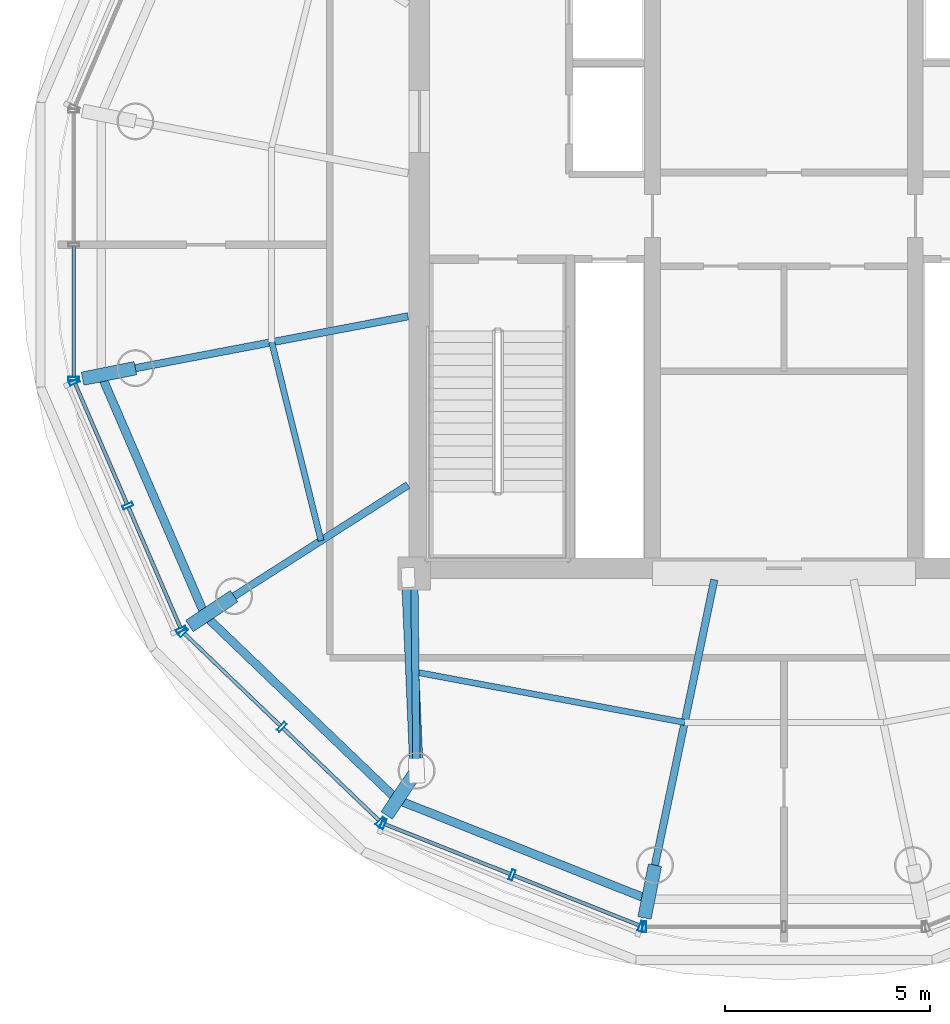
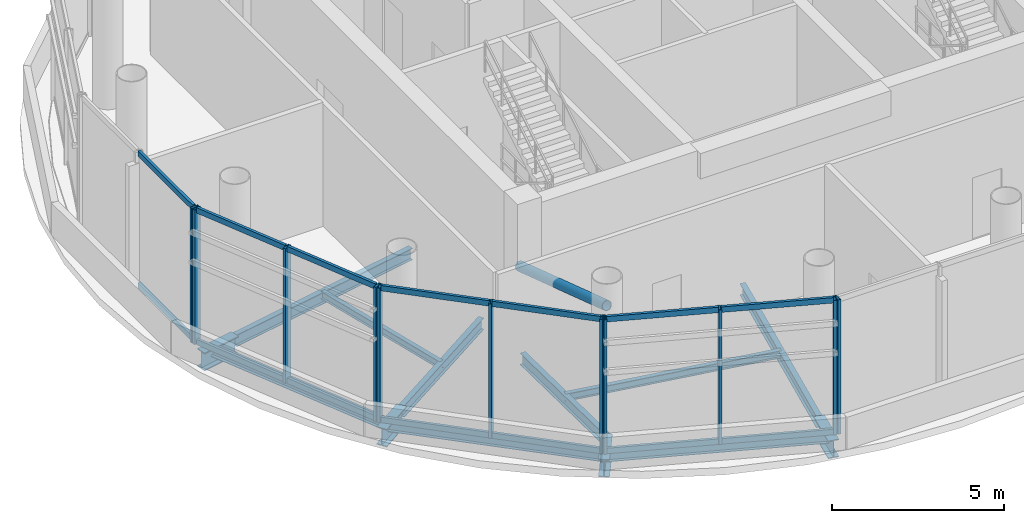
# One storey, part 2 of 15: 26 members, 13 beams, 5 elements without a shape of their own.
"""IFC4 building model written with IfcOpenShell, lengths in metres."""

from ifc_helpers import new_model, si_unit, direction, frame, origin, origin_2d, place, context, subcontext, project, spatial, hollow_rectangle, hollow_circle, i_section, extrude, source, transform, mapped, material, material_profile, profile_set, type_object, element, aggregate, save


model = new_model("IFC4")

# Units and contexts
model_context = context("Model", 3, precision=1e-05, world=origin(), true_north=direction((-0.2419218956, 0.970295726276)))
body_context = subcontext(model_context, "Body", "Model", "MODEL_VIEW")
ifc_project = project(units=[si_unit("LENGTHUNIT", "METRE"), si_unit("AREAUNIT", "SQUARE_METRE"), si_unit("VOLUMEUNIT", "CUBIC_METRE"), si_unit("PLANEANGLEUNIT", "RADIAN"), si_unit("MASSUNIT", "GRAM", prefix="KILO")], contexts=[model_context])

# Site, building, storey
site_placement = place(None, origin())
site = spatial("IfcSite", under=ifc_project, at=site_placement, CompositionType="ELEMENT")
building_placement = place(site_placement, origin())
building = spatial("IfcBuilding", under=site, at=building_placement, Name="Cobrevalo Terracotta Tower", CompositionType="ELEMENT")
storey_placement = place(building_placement, frame((0.0, 0.0, 306.10009765625)))
storey = spatial("IfcBuildingStorey", under=building, at=storey_placement, Name="L80", CompositionType="ELEMENT", Elevation=306.10009765625)

# Beams
ifc_material_1 = material(Name="Steel S355", Category="steel")
ifc_material_profile_1 = material_profile(ifc_material_1, i_section(OverallWidth=0.179931640625, OverallDepth=0.4130859375, WebThickness=0.009765625, FlangeThickness=0.01611328125, at=origin_2d()), Name="W 410x75")
ifc_profile_set_1 = profile_set([ifc_material_profile_1], Name="Steel S355")
beam_type_1 = type_object("IfcBeamType", Name="Structural Beam W 410x75 (Steel S355)", PredefinedType="BEAM", material=ifc_profile_set_1)
beam_1_placement = place(storey_placement, frame((22.20947265625, 23.795654296875, -0.626708984375), z_axis=(0.982378090159, 0.186904488915, 0.0), x_axis=(-0.186904488915, 0.982378090159, 0.0)))
element("IfcBeam", 1, at=beam_1_placement, inside=storey, type_object=beam_type_1, Name="L80 radial floor girder 09", PredefinedType="BEAM", context=body_context, shape_type="SweptSolid", body=[
    extrude(i_section(OverallWidth=0.179931640625, OverallDepth=0.4130859375, WebThickness=0.009765625, FlangeThickness=0.01611328125, at=origin_2d()), origin(), (0.0, 0.0, 1.0), 6.754638671875),
])
beam_2_placement = place(storey_placement, frame((24.61328125, 18.244140625, -0.626708984375), z_axis=(0.84260496226, 0.538532150921, 0.0), x_axis=(-0.538532150921, 0.84260496226, 0.0)))
element("IfcBeam", 2, at=beam_2_placement, inside=storey, type_object=beam_type_1, Name="L80 radial floor girder 10", PredefinedType="BEAM", context=body_context, shape_type="SweptSolid", body=[
    extrude(i_section(OverallWidth=0.179931640625, OverallDepth=0.4130859375, WebThickness=0.009765625, FlangeThickness=0.01611328125, at=origin_2d()), origin(), (0.0, 0.0, 1.0), 5.022216796875),
])
beam_3_placement = place(storey_placement, frame((29.055419921875, 13.995361328125, -0.626708984375), z_axis=(-0.01153378561, 0.999933483683, 0.0), x_axis=(-0.999933483683, -0.01153378561, 0.0)))
element("IfcBeam", 3, at=beam_3_placement, inside=storey, type_object=beam_type_1, Name="L80 radial floor girder 11", PredefinedType="BEAM", context=body_context, shape_type="SweptSolid", body=[
    extrude(i_section(OverallWidth=0.179931640625, OverallDepth=0.4130859375, WebThickness=0.009765625, FlangeThickness=0.01611328125, at=origin_2d()), origin(), (0.0, 0.0, 1.0), 4.804931640625),
])
beam_4_placement = place(storey_placement, frame((34.859130859375, 11.69580078125, -0.626708984375), z_axis=(0.203591619703, 0.9790558985, 0.0), x_axis=(-0.9790558985, 0.203591619703, 0.0)))
element("IfcBeam", 4, at=beam_4_placement, inside=storey, type_object=beam_type_1, Name="L80 radial floor girder 12", PredefinedType="BEAM", context=body_context, shape_type="SweptSolid", body=[
    extrude(i_section(OverallWidth=0.179931640625, OverallDepth=0.4130859375, WebThickness=0.009765625, FlangeThickness=0.01611328125, at=origin_2d()), origin(), (0.0, 0.0, 1.0), 7.097900390625),
])
ifc_material_profile_2 = material_profile(ifc_material_1, i_section(OverallWidth=0.3291015625, OverallDepth=0.635009765625, WebThickness=0.017822265625, FlangeThickness=0.031005859375, at=origin_2d()), Name="W 610x241")
ifc_profile_set_2 = profile_set([ifc_material_profile_2], Name="Steel S355")
beam_type_2 = type_object("IfcBeamType", Name="Structural Beam W 610x241 (Steel S355)", PredefinedType="BEAM", material=ifc_profile_set_2)
beam_5_placement = place(storey_placement, frame((20.924560546875, 23.5400390625, -0.737548828125), z_axis=(0.980780851142, 0.195112588095, 0.0), x_axis=(-0.195112588095, 0.980780851142, 0.0)))
element("IfcBeam", 5, at=beam_5_placement, inside=storey, type_object=beam_type_2, Name="L80 setback step-link girder 09", PredefinedType="BEAM", context=body_context, shape_type="SweptSolid", body=[
    extrude(i_section(OverallWidth=0.3291015625, OverallDepth=0.635009765625, WebThickness=0.017822265625, FlangeThickness=0.031005859375, at=origin_2d()), origin(), (0.0, 0.0, 1.0), 1.31005859375),
])
for number, where, z_axis, x_axis, name in (
    (6, (23.524169921875, 17.516357421875, -0.737548828125), (0.831447648631, 0.555603102571, 0.0), (-0.555603102571, 0.831447648631, 0.0), "L80 setback step-link girder 10"),
    (7, (28.32763671875, 12.90625, -0.737548828125), (0.555603102571, 0.831447648631, 0.0), (-0.831447648631, 0.555603102571, 0.0), "L80 setback step-link girder 11"),
    (8, (34.603515625, 10.4111328125, -0.737548828125), (0.195148255679, 0.980773754902, 0.0), (-0.980773754902, 0.195148255679, 0.0), "L80 setback step-link girder 12"),
):
    element("IfcBeam", number, at=place(storey_placement, frame(where, z_axis=z_axis, x_axis=x_axis)), inside=storey, type_object=beam_type_2, Name=name, PredefinedType="BEAM", context=body_context, shape_type="SweptSolid", body=[
        extrude(i_section(OverallWidth=0.3291015625, OverallDepth=0.635009765625, WebThickness=0.017822265625, FlangeThickness=0.031005859375, at=origin_2d()), origin(), (0.0, 0.0, 1.0), 1.309814453125),
    ])
ifc_material_profile_3 = material_profile(ifc_material_1, i_section(OverallWidth=0.14794921875, OverallDepth=0.26611328125, WebThickness=0.007568359375, FlangeThickness=0.012939453125, at=origin_2d()), Name="W 250x44.8")
ifc_profile_set_3 = profile_set([ifc_material_profile_3], Name="Steel S355")
beam_type_3 = type_object("IfcBeamType", Name="Structural Joist W 250x44.8 (Steel S355)", PredefinedType="JOIST", material=ifc_profile_set_3)
beam_6_placement = place(storey_placement, frame((25.527099609375, 24.4267578125, -0.552978515625), z_axis=(0.241508383165, -0.970398732924, 0.0), x_axis=(0.970398732924, 0.241508383165, 0.0)))
element("IfcBeam", 9, at=beam_6_placement, inside=storey, type_object=beam_type_3, Name="L80 circumferential secondary floor joist 09", PredefinedType="JOIST", context=body_context, shape_type="SweptSolid", body=[
    extrude(i_section(OverallWidth=0.14794921875, OverallDepth=0.26611328125, WebThickness=0.007568359375, FlangeThickness=0.012939453125, at=origin_2d()), origin(), (0.0, 0.0, 1.0), 4.977783203125),
])
beam_7_placement = place(storey_placement, frame((29.027587890625, 16.397705078125, -0.552978515625), z_axis=(0.982914854387, -0.184060829689, 0.0), x_axis=(0.184060829689, 0.982914854387, 0.0)))
element("IfcBeam", 10, at=beam_7_placement, inside=storey, type_object=beam_type_3, Name="L80 circumferential secondary floor joist 11", PredefinedType="JOIST", context=body_context, shape_type="SweptSolid", body=[
    extrude(i_section(OverallWidth=0.14794921875, OverallDepth=0.26611328125, WebThickness=0.007568359375, FlangeThickness=0.012939453125, at=origin_2d()), origin(), (0.0, 0.0, 1.0), 6.66796875),
])
ifc_material_profile_4 = material_profile(ifc_material_1, i_section(OverallWidth=0.205078125, OverallDepth=0.35400390625, WebThickness=0.009521484375, FlangeThickness=0.016845703125, at=origin_2d()), Name="W 360x79")
ifc_profile_set_4 = profile_set([ifc_material_profile_4], Name="Steel S355")
beam_type_4 = type_object("IfcBeamType", Name="Structural Spandrel W 360x79 (Steel S355)", PredefinedType="SPANDREL", material=ifc_profile_set_4)
beam_8_placement = place(storey_placement, frame((21.375732421875, 23.6298828125, -0.59716796875), z_axis=(0.396595776552, -0.917993349661, 0.0), x_axis=(0.917993349661, 0.396595776552, 0.0)))
element("IfcBeam", 11, at=beam_8_placement, inside=storey, type_object=beam_type_4, Name="L80 perimeter ring spandrel 09", PredefinedType="SPANDREL", context=body_context, shape_type="SweptSolid", body=[
    extrude(i_section(OverallWidth=0.205078125, OverallDepth=0.35400390625, WebThickness=0.009521484375, FlangeThickness=0.016845703125, at=origin_2d()), origin(), (0.0, 0.0, 1.0), 6.381103515625),
])
beam_9_placement = place(storey_placement, frame((23.906494140625, 17.77197265625, -0.59716796875), z_axis=(0.721854060625, -0.692045312938, 0.0), x_axis=(0.692045312938, 0.721854060625, 0.0)))
element("IfcBeam", 12, at=beam_9_placement, inside=storey, type_object=beam_type_4, Name="L80 perimeter ring spandrel 10", PredefinedType="SPANDREL", context=body_context, shape_type="SweptSolid", body=[
    extrude(i_section(OverallWidth=0.205078125, OverallDepth=0.35400390625, WebThickness=0.009521484375, FlangeThickness=0.016845703125, at=origin_2d()), origin(), (0.0, 0.0, 1.0), 6.478515625),
])
beam_10_placement = place(storey_placement, frame((28.5830078125, 13.28857421875, -0.59716796875), z_axis=(0.929406010795, -0.369058893806, 0.0), x_axis=(0.369058893806, 0.929406010795, 0.0)))
element("IfcBeam", 13, at=beam_10_placement, inside=storey, type_object=beam_type_4, Name="L80 perimeter ring spandrel 11", PredefinedType="SPANDREL", context=body_context, shape_type="SweptSolid", body=[
    extrude(i_section(OverallWidth=0.205078125, OverallDepth=0.35400390625, WebThickness=0.009521484375, FlangeThickness=0.016845703125, at=origin_2d()), origin(), (0.0, 0.0, 1.0), 6.57421875),
])

# Member
ifc_material_profile_5 = material_profile(ifc_material_1, hollow_circle(Radius=0.162109375, WallThickness=0.013916015625, at=origin_2d()), Name="CHS 324x14")
ifc_profile_set_5 = profile_set([ifc_material_profile_5], Name="Steel S355")
member_type_1 = type_object("IfcMemberType", Name="Steel Brace CHS 324x14 (Steel S355)", PredefinedType="BRACE", material=ifc_profile_set_5)
shared_shape_1 = source(origin(), body_context, "Body", "SweptSolid", [
    extrude(hollow_circle(Radius=0.162109375, WallThickness=0.013916015625, at=origin_2d()), origin(), (0.0, 0.0, 1.0), 4.906982421875),
])
member_1_placement = place(storey_placement, frame((28.85009765625, 18.699951171875, 2.75), z_axis=(0.041842075868, -0.958735793071, 0.281202631159), x_axis=(0.999049003969, 0.043601464055, 0.0)))
element("IfcMember", 14, at=member_1_placement, inside=storey, type_object=member_type_1, Name="L80 CROWN FRAME radial brace 03", PredefinedType="BRACE", context=body_context, shape_type="MappedRepresentation", body=[
    mapped(shared_shape_1, transform((0.0, 0.0, 0.0), scale=1.0)),
])

# Curtain wall, member
ifc_material_2 = material(Name="Anodized aluminium", Category="aluminium")
curtain_wall_type = type_object("IfcCurtainWallType", Name="Faceted glass-point crown structural glazing system CW-CR", PredefinedType="NOTDEFINED", material=ifc_material_2)
curtain_wall_1_placement = place(storey_placement, origin())
curtain_wall_1 = element("IfcCurtainWall", 15, at=curtain_wall_1_placement, inside=storey, type_object=curtain_wall_type, Name="L80 curtain wall CW-CRN-L80-S08", PredefinedType="NOTDEFINED")
ifc_material_profile_6 = material_profile(ifc_material_2, hollow_rectangle(XDim=0.090087890625, YDim=0.260009765625, WallThickness=0.006103515625, at=origin_2d()), Name="CWM 90x260")
ifc_profile_set_6 = profile_set([ifc_material_profile_6], Name="Anodized aluminium")
member_type_2 = type_object("IfcMemberType", Name="Crown structural glass mullion 90x260", PredefinedType="MULLION", material=ifc_profile_set_6)
shared_shape_2 = source(origin(), body_context, "Body", "SweptSolid", [
    extrude(hollow_rectangle(XDim=0.090087890625, YDim=0.260009765625, WallThickness=0.006103515625, at=origin_2d()), origin(), (0.0, 0.0, 1.0), 4.77978515625),
])
member_2_placement = place(storey_placement, frame((20.708740234375, 23.537109375, 0.0), z_axis=(0.0, 0.0, 1.0), x_axis=(0.0, -1.0, 0.0)))
member_2 = element("IfcMember", 16, at=member_2_placement, type_object=member_type_2, Name="CW-CRN-L80-S08 vertical mullion 03", PredefinedType="MULLION", context=body_context, shape_type="MappedRepresentation", body=[
    mapped(shared_shape_2, transform((0.0, 0.0, 0.0), scale=1.0)),
])

# Curtain wall, members
curtain_wall_2_placement = place(storey_placement, origin())
curtain_wall_2 = element("IfcCurtainWall", 17, at=curtain_wall_2_placement, inside=storey, type_object=curtain_wall_type, Name="L80 curtain wall CW-CRN-L80-S09", PredefinedType="NOTDEFINED")
member_3_placement = place(storey_placement, frame((20.724609375, 23.46044921875, 0.0), z_axis=(0.0, 0.0, 1.0), x_axis=(0.396058398073, -0.918225323826, 0.0)))
member_3 = element("IfcMember", 18, at=member_3_placement, type_object=member_type_2, Name="CW-CRN-L80-S09 vertical mullion 01", PredefinedType="MULLION", context=body_context, shape_type="MappedRepresentation", body=[
    mapped(shared_shape_2, transform((0.0, 0.0, 0.0), scale=1.0)),
])
member_4_placement = place(storey_placement, frame((22.02490234375, 20.445556640625, 0.0), z_axis=(0.0, 0.0, 1.0), x_axis=(0.396058398073, -0.918225323826, 0.0)))
member_4 = element("IfcMember", 19, at=member_4_placement, type_object=member_type_2, Name="CW-CRN-L80-S09 vertical mullion 02", PredefinedType="MULLION", context=body_context, shape_type="MappedRepresentation", body=[
    mapped(shared_shape_2, transform((0.0, 0.0, 0.0), scale=1.0)),
])
member_5_placement = place(storey_placement, frame((23.325439453125, 17.430908203125, 0.0), z_axis=(0.0, 0.0, 1.0), x_axis=(0.396058398073, -0.918225323826, 0.0)))
member_5 = element("IfcMember", 20, at=member_5_placement, type_object=member_type_2, Name="CW-CRN-L80-S09 vertical mullion 03", PredefinedType="MULLION", context=body_context, shape_type="MappedRepresentation", body=[
    mapped(shared_shape_2, transform((0.0, 0.0, 0.0), scale=1.0)),
])

curtain_wall_3_placement = place(storey_placement, origin())
curtain_wall_3 = element("IfcCurtainWall", 21, at=curtain_wall_3_placement, inside=storey, type_object=curtain_wall_type, Name="L80 curtain wall CW-CRN-L80-S10", PredefinedType="NOTDEFINED")
member_6_placement = place(storey_placement, frame((23.3701171875, 17.366455078125, 0.0), z_axis=(0.0, 0.0, 1.0), x_axis=(0.721276845158, -0.692646888854, 0.0)))
member_6 = element("IfcMember", 22, at=member_6_placement, type_object=member_type_2, Name="CW-CRN-L80-S10 vertical mullion 01", PredefinedType="MULLION", context=body_context, shape_type="MappedRepresentation", body=[
    mapped(shared_shape_2, transform((0.0, 0.0, 0.0), scale=1.0)),
])
member_7_placement = place(storey_placement, frame((25.773193359375, 15.05859375, 0.0), z_axis=(0.0, 0.0, 1.0), x_axis=(0.721276845158, -0.692646888854, 0.0)))
member_7 = element("IfcMember", 23, at=member_7_placement, type_object=member_type_2, Name="CW-CRN-L80-S10 vertical mullion 02", PredefinedType="MULLION", context=body_context, shape_type="MappedRepresentation", body=[
    mapped(shared_shape_2, transform((0.0, 0.0, 0.0), scale=1.0)),
])
member_8_placement = place(storey_placement, frame((28.176513671875, 12.7509765625, 0.0), z_axis=(0.0, 0.0, 1.0), x_axis=(0.721276845158, -0.692646888854, 0.0)))
member_8 = element("IfcMember", 24, at=member_8_placement, type_object=member_type_2, Name="CW-CRN-L80-S10 vertical mullion 03", PredefinedType="MULLION", context=body_context, shape_type="MappedRepresentation", body=[
    mapped(shared_shape_2, transform((0.0, 0.0, 0.0), scale=1.0)),
])

curtain_wall_4_placement = place(storey_placement, origin())
curtain_wall_4 = element("IfcCurtainWall", 25, at=curtain_wall_4_placement, inside=storey, type_object=curtain_wall_type, Name="L80 curtain wall CW-CRN-L80-S11", PredefinedType="NOTDEFINED")
member_9_placement = place(storey_placement, frame((28.242431640625, 12.70849609375, 0.0), z_axis=(0.0, 0.0, 1.0), x_axis=(0.929190639756, -0.36960080491, 0.0)))
member_9 = element("IfcMember", 26, at=member_9_placement, type_object=member_type_2, Name="CW-CRN-L80-S11 vertical mullion 01", PredefinedType="MULLION", context=body_context, shape_type="MappedRepresentation", body=[
    mapped(shared_shape_2, transform((0.0, 0.0, 0.0), scale=1.0)),
])
member_10_placement = place(storey_placement, frame((31.3828125, 11.459228515625, 0.0), z_axis=(0.0, 0.0, 1.0), x_axis=(0.929190639756, -0.36960080491, 0.0)))
member_10 = element("IfcMember", 27, at=member_10_placement, type_object=member_type_2, Name="CW-CRN-L80-S11 vertical mullion 02", PredefinedType="MULLION", context=body_context, shape_type="MappedRepresentation", body=[
    mapped(shared_shape_2, transform((0.0, 0.0, 0.0), scale=1.0)),
])
member_11_placement = place(storey_placement, frame((34.5234375, 10.210205078125, 0.0), z_axis=(0.0, 0.0, 1.0), x_axis=(0.929190639756, -0.36960080491, 0.0)))
member_11 = element("IfcMember", 28, at=member_11_placement, type_object=member_type_2, Name="CW-CRN-L80-S11 vertical mullion 03", PredefinedType="MULLION", context=body_context, shape_type="MappedRepresentation", body=[
    mapped(shared_shape_2, transform((0.0, 0.0, 0.0), scale=1.0)),
])

# Curtain wall, member
curtain_wall_5_placement = place(storey_placement, origin())
curtain_wall_5 = element("IfcCurtainWall", 29, at=curtain_wall_5_placement, inside=storey, type_object=curtain_wall_type, Name="L80 curtain wall CW-CRN-L80-S12", PredefinedType="NOTDEFINED")
member_12_placement = place(storey_placement, frame((34.6005859375, 10.1953125, 0.0), z_axis=(0.0, 0.0, 1.0), x_axis=(1.0, 0.0, 0.0)))
member_12 = element("IfcMember", 30, at=member_12_placement, type_object=member_type_2, Name="CW-CRN-L80-S12 vertical mullion 01", PredefinedType="MULLION", context=body_context, shape_type="MappedRepresentation", body=[
    mapped(shared_shape_2, transform((0.0, 0.0, 0.0), scale=1.0)),
])
aggregate(curtain_wall_5, [member_12])

# Member
ifc_material_profile_7 = material_profile(ifc_material_2, hollow_rectangle(XDim=0.090087890625, YDim=0.195068359375, WallThickness=0.005615234375, at=origin_2d()), Name="CWT 90x195")
ifc_profile_set_7 = profile_set([ifc_material_profile_7], Name="Anodized aluminium")
member_type_3 = type_object("IfcMemberType", Name="Crown structural aluminium transom 90x195", PredefinedType="USERDEFINED", material=ifc_profile_set_7)
shared_shape_3 = source(origin(), body_context, "Body", "SweptSolid", [
    extrude(hollow_rectangle(XDim=0.090087890625, YDim=0.195068359375, WallThickness=0.005615234375, at=origin_2d()), origin(), (0.0, 0.0, 1.0), 3.203125),
])
member_13_placement = place(storey_placement, frame((20.740478515625, 23.423583984375, 0.0498046875), z_axis=(0.396043228921, -0.918231866592, 0.0), x_axis=(0.918231866592, 0.396043228921, 0.0)))
member_13 = element("IfcMember", 31, at=member_13_placement, type_object=member_type_3, Name="CW-CRN-L80-S09 transom B01-T1", ObjectType="TRANSOM", PredefinedType="USERDEFINED", context=body_context, shape_type="MappedRepresentation", body=[
    mapped(shared_shape_3, transform((0.0, 0.0, 0.0), scale=1.0)),
])

member_14_placement = place(storey_placement, frame((20.740478515625, 23.423583984375, 4.72998046875), z_axis=(0.396043228921, -0.918231866592, 0.0), x_axis=(0.918231866592, 0.396043228921, 0.0)))
member_14 = element("IfcMember", 32, at=member_14_placement, type_object=member_type_3, Name="CW-CRN-L80-S09 transom B01-T2", ObjectType="TRANSOM", PredefinedType="USERDEFINED", context=body_context, shape_type="MappedRepresentation", body=[
    mapped(shared_shape_3, transform((0.0, 0.0, 0.0), scale=1.0)),
])

member_15_placement = place(storey_placement, frame((22.040771484375, 20.408935546875, 0.0498046875), z_axis=(0.396107491553, -0.918204146765, 0.0), x_axis=(0.918204146765, 0.396107491553, 0.0)))
member_15 = element("IfcMember", 33, at=member_15_placement, type_object=member_type_3, Name="CW-CRN-L80-S09 transom B02-T1", ObjectType="TRANSOM", PredefinedType="USERDEFINED", context=body_context, shape_type="MappedRepresentation", body=[
    mapped(shared_shape_3, transform((0.0, 0.0, 0.0), scale=1.0)),
])

member_16_placement = place(storey_placement, frame((22.040771484375, 20.408935546875, 4.72998046875), z_axis=(0.396107491553, -0.918204146765, 0.0), x_axis=(0.918204146765, 0.396107491553, 0.0)))
member_16 = element("IfcMember", 34, at=member_16_placement, type_object=member_type_3, Name="CW-CRN-L80-S09 transom B02-T2", ObjectType="TRANSOM", PredefinedType="USERDEFINED", context=body_context, shape_type="MappedRepresentation", body=[
    mapped(shared_shape_3, transform((0.0, 0.0, 0.0), scale=1.0)),
])

aggregate(curtain_wall_2, [member_3, member_4, member_5, member_13, member_14, member_15, member_16])

shared_shape_4 = source(origin(), body_context, "Body", "SweptSolid", [
    extrude(hollow_rectangle(XDim=0.090087890625, YDim=0.195068359375, WallThickness=0.005615234375, at=origin_2d()), origin(), (0.0, 0.0, 1.0), 3.251953125),
])
member_17_placement = place(storey_placement, frame((23.39892578125, 17.3388671875, 0.0498046875), z_axis=(0.721264285966, -0.692659966932, 0.0), x_axis=(0.692659966932, 0.721264285966, 0.0)))
member_17 = element("IfcMember", 35, at=member_17_placement, type_object=member_type_3, Name="CW-CRN-L80-S10 transom B01-T1", ObjectType="TRANSOM", PredefinedType="USERDEFINED", context=body_context, shape_type="MappedRepresentation", body=[
    mapped(shared_shape_4, transform((0.0, 0.0, 0.0), scale=1.0)),
])

member_18_placement = place(storey_placement, frame((23.39892578125, 17.3388671875, 4.72998046875), z_axis=(0.721264285966, -0.692659966932, 0.0), x_axis=(0.692659966932, 0.721264285966, 0.0)))
member_18 = element("IfcMember", 36, at=member_18_placement, type_object=member_type_3, Name="CW-CRN-L80-S10 transom B01-T2", ObjectType="TRANSOM", PredefinedType="USERDEFINED", context=body_context, shape_type="MappedRepresentation", body=[
    mapped(shared_shape_4, transform((0.0, 0.0, 0.0), scale=1.0)),
])

member_19_placement = place(storey_placement, frame((25.802001953125, 15.031005859375, 0.0498046875), z_axis=(0.721300303297, -0.692622460265, 0.0), x_axis=(0.692622460265, 0.721300303297, 0.0)))
member_19 = element("IfcMember", 37, at=member_19_placement, type_object=member_type_3, Name="CW-CRN-L80-S10 transom B02-T1", ObjectType="TRANSOM", PredefinedType="USERDEFINED", context=body_context, shape_type="MappedRepresentation", body=[
    mapped(shared_shape_4, transform((0.0, 0.0, 0.0), scale=1.0)),
])

member_20_placement = place(storey_placement, frame((25.802001953125, 15.031005859375, 4.72998046875), z_axis=(0.721300303297, -0.692622460265, 0.0), x_axis=(0.692622460265, 0.721300303297, 0.0)))
member_20 = element("IfcMember", 38, at=member_20_placement, type_object=member_type_3, Name="CW-CRN-L80-S10 transom B02-T2", ObjectType="TRANSOM", PredefinedType="USERDEFINED", context=body_context, shape_type="MappedRepresentation", body=[
    mapped(shared_shape_4, transform((0.0, 0.0, 0.0), scale=1.0)),
])

aggregate(curtain_wall_3, [member_6, member_7, member_8, member_17, member_18, member_19, member_20])

shared_shape_5 = source(origin(), body_context, "Body", "SweptSolid", [
    extrude(hollow_rectangle(XDim=0.090087890625, YDim=0.195068359375, WallThickness=0.005615234375, at=origin_2d()), origin(), (0.0, 0.0, 1.0), 3.2998046875),
])
member_21_placement = place(storey_placement, frame((28.279541015625, 12.693603515625, 0.0498046875), z_axis=(0.929204565262, -0.369565793732, 0.0), x_axis=(0.369565793732, 0.929204565262, 0.0)))
member_21 = element("IfcMember", 39, at=member_21_placement, type_object=member_type_3, Name="CW-CRN-L80-S11 transom B01-T1", ObjectType="TRANSOM", PredefinedType="USERDEFINED", context=body_context, shape_type="MappedRepresentation", body=[
    mapped(shared_shape_5, transform((0.0, 0.0, 0.0), scale=1.0)),
])

member_22_placement = place(storey_placement, frame((28.279541015625, 12.693603515625, 4.72998046875), z_axis=(0.929204565262, -0.369565793732, 0.0), x_axis=(0.369565793732, 0.929204565262, 0.0)))
member_22 = element("IfcMember", 40, at=member_22_placement, type_object=member_type_3, Name="CW-CRN-L80-S11 transom B01-T2", ObjectType="TRANSOM", PredefinedType="USERDEFINED", context=body_context, shape_type="MappedRepresentation", body=[
    mapped(shared_shape_5, transform((0.0, 0.0, 0.0), scale=1.0)),
])

member_23_placement = place(storey_placement, frame((31.420166015625, 11.444580078125, 0.0498046875), z_axis=(0.92917915641, -0.369629673177, 0.0), x_axis=(0.369629673177, 0.92917915641, 0.0)))
member_23 = element("IfcMember", 41, at=member_23_placement, type_object=member_type_3, Name="CW-CRN-L80-S11 transom B02-T1", ObjectType="TRANSOM", PredefinedType="USERDEFINED", context=body_context, shape_type="MappedRepresentation", body=[
    mapped(shared_shape_5, transform((0.0, 0.0, 0.0), scale=1.0)),
])

member_24_placement = place(storey_placement, frame((31.420166015625, 11.444580078125, 4.72998046875), z_axis=(0.92917915641, -0.369629673177, 0.0), x_axis=(0.369629673177, 0.92917915641, 0.0)))
member_24 = element("IfcMember", 42, at=member_24_placement, type_object=member_type_3, Name="CW-CRN-L80-S11 transom B02-T2", ObjectType="TRANSOM", PredefinedType="USERDEFINED", context=body_context, shape_type="MappedRepresentation", body=[
    mapped(shared_shape_5, transform((0.0, 0.0, 0.0), scale=1.0)),
])

aggregate(curtain_wall_4, [member_9, member_10, member_11, member_21, member_22, member_23, member_24])

shared_shape_6 = source(origin(), body_context, "Body", "SweptSolid", [
    extrude(hollow_rectangle(XDim=0.090087890625, YDim=0.195068359375, WallThickness=0.005615234375, at=origin_2d()), origin(), (0.0, 0.0, 1.0), 3.182861328125),
])
member_25_placement = place(storey_placement, frame((20.708740234375, 26.760009765625, 0.0498046875), z_axis=(0.0, -1.0, 0.0), x_axis=(1.0, 0.0, 0.0)))
member_25 = element("IfcMember", 43, at=member_25_placement, type_object=member_type_3, Name="CW-CRN-L80-S08 transom B02-T1", ObjectType="TRANSOM", PredefinedType="USERDEFINED", context=body_context, shape_type="MappedRepresentation", body=[
    mapped(shared_shape_6, transform((0.0, 0.0, 0.0), scale=1.0)),
])

member_26_placement = place(storey_placement, frame((20.708740234375, 26.760009765625, 4.72998046875), z_axis=(0.0, -1.0, 0.0), x_axis=(1.0, 0.0, 0.0)))
member_26 = element("IfcMember", 44, at=member_26_placement, type_object=member_type_3, Name="CW-CRN-L80-S08 transom B02-T2", ObjectType="TRANSOM", PredefinedType="USERDEFINED", context=body_context, shape_type="MappedRepresentation", body=[
    mapped(shared_shape_6, transform((0.0, 0.0, 0.0), scale=1.0)),
])

aggregate(curtain_wall_1, [member_2, member_25, member_26])

save(model, "model.ifc")
